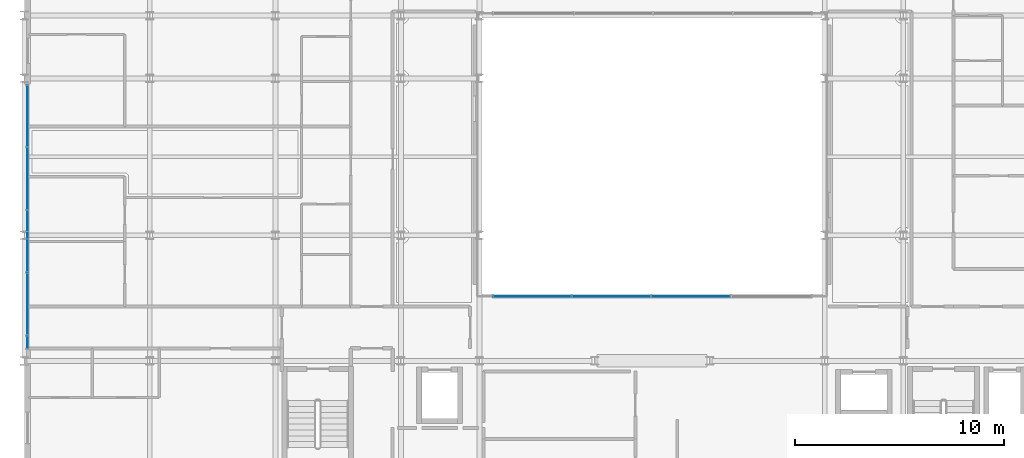
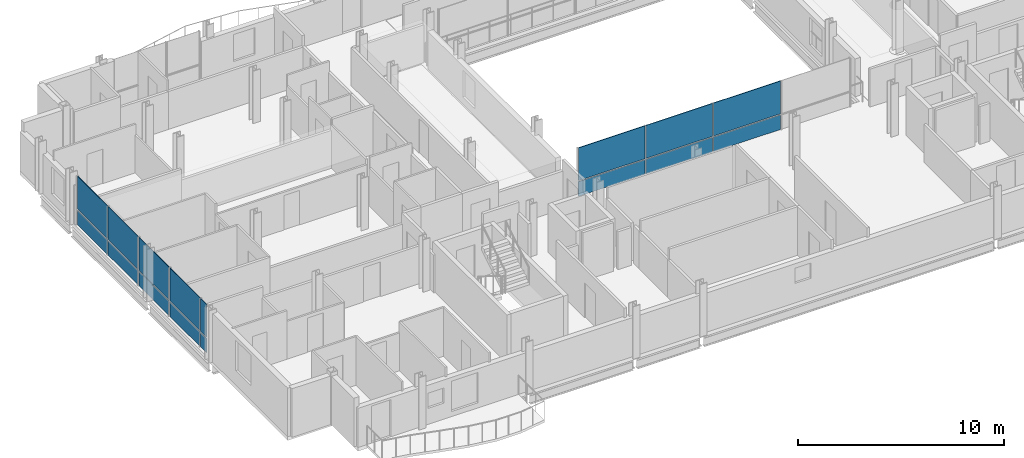
# One storey, part 28 of 41: 16 plates, 2 elements without a shape of their own.
"""IFC4 building model written with IfcOpenShell, lengths in metres."""

from ifc_helpers import new_model, si_unit, direction, frame, origin, origin_2d, place, context, subcontext, project, spatial, rectangle, extrude, material, layer, layer_set, type_object, element, aggregate, save


model = new_model("IFC4")

# Units and contexts
model_context = context("Model", 3, precision=1e-05, world=origin(), true_north=direction((0.0, 1.0)))
body_context = subcontext(model_context, "Body", "Model", "MODEL_VIEW")
ifc_project = project(units=[si_unit("LENGTHUNIT", "METRE"), si_unit("AREAUNIT", "SQUARE_METRE"), si_unit("VOLUMEUNIT", "CUBIC_METRE"), si_unit("PLANEANGLEUNIT", "RADIAN"), si_unit("MASSUNIT", "GRAM", prefix="KILO")], contexts=[model_context])

# Site, building, storey
site_placement = place(None, origin())
site = spatial("IfcSite", under=ifc_project, at=site_placement, CompositionType="ELEMENT")
building_placement = place(site_placement, origin())
building = spatial("IfcBuilding", under=site, at=building_placement, Name="Brevholm Reach", CompositionType="ELEMENT")
storey_placement = place(building_placement, frame((0.0, 0.0, 163.5)))
storey = spatial("IfcBuildingStorey", under=building, at=storey_placement, Name="L49", CompositionType="ELEMENT", Elevation=163.5)

# Curtain wall, plates
ifc_material_1 = material(Name="Dark Anodised Aluminium 6063-T6 and Solar-Control Glass", Category="aluminium")
ifc_layer_1 = layer(ifc_material_1, 0.14990234375)
ifc_layer_set_1 = layer_set([ifc_layer_1], Name="Dark Anodised Aluminium 6063-T6 and Solar-Control Glass")
curtain_wall_type_1 = type_object("IfcCurtainWallType", Name="CW-01", PredefinedType="NOTDEFINED", material=ifc_layer_set_1)
curtain_wall_1_placement = place(storey_placement, origin())
curtain_wall_1 = element("IfcCurtainWall", 1, at=curtain_wall_1_placement, inside=storey, type_object=curtain_wall_type_1, Name="L49 Curtain Wall CW-01", PredefinedType="NOTDEFINED")
ifc_material_2 = material(Name="Dark Solar-Control Double-Glazed IGU Glass", Category="glass")
ifc_layer_2 = layer(ifc_material_2, 0.028076171875)
ifc_layer_set_2 = layer_set([ifc_layer_2], Name="Dark Solar-Control Double-Glazed IGU Glass")
plate_type_1 = type_object("IfcPlateType", Name="CWP-GLZ-28", PredefinedType="CURTAIN_PANEL", material=ifc_layer_set_2)
plate_1_placement = place(storey_placement, frame((0.14990234375, 21.703857421875, 0.0), z_axis=(0.0, 0.0, 1.0), x_axis=(0.0, -1.0, 0.0)))
plate_1 = element("IfcPlate", 2, at=plate_1_placement, type_object=plate_type_1, Name="CP-01 Glazing Panel 1.1", PredefinedType="CURTAIN_PANEL", context=body_context, shape_type="SweptSolid", body=[
    extrude(rectangle(XDim=2.902587890625, YDim=0.028076171875, at=origin_2d()), origin(), (0.0, 0.0, 1.0), 0.867431640625),
])
plate_2_placement = place(storey_placement, frame((0.14990234375, 21.703857421875, 0.9326171875), z_axis=(0.0, 0.0, 1.0), x_axis=(0.0, -1.0, 0.0)))
plate_2 = element("IfcPlate", 3, at=plate_2_placement, type_object=plate_type_1, Name="CP-01 Glazing Panel 1.2", PredefinedType="CURTAIN_PANEL", context=body_context, shape_type="SweptSolid", body=[
    extrude(rectangle(XDim=2.902587890625, YDim=0.028076171875, at=origin_2d()), origin(), (0.0, 0.0, 1.0), 1.947509765625),
])
plate_3_placement = place(storey_placement, frame((0.14990234375, 18.719970703125, 0.0), z_axis=(0.0, 0.0, 1.0), x_axis=(0.0, -1.0, 0.0)))
plate_3 = element("IfcPlate", 4, at=plate_3_placement, type_object=plate_type_1, Name="CP-01 Glazing Panel 2.1", PredefinedType="CURTAIN_PANEL", context=body_context, shape_type="SweptSolid", body=[
    extrude(rectangle(XDim=2.93505859375, YDim=0.028076171875, at=origin_2d()), origin(), (0.0, 0.0, 1.0), 0.867431640625),
])
plate_4_placement = place(storey_placement, frame((0.14990234375, 18.719970703125, 0.9326171875), z_axis=(0.0, 0.0, 1.0), x_axis=(0.0, -1.0, 0.0)))
plate_4 = element("IfcPlate", 5, at=plate_4_placement, type_object=plate_type_1, Name="CP-01 Glazing Panel 2.2", PredefinedType="CURTAIN_PANEL", context=body_context, shape_type="SweptSolid", body=[
    extrude(rectangle(XDim=2.93505859375, YDim=0.028076171875, at=origin_2d()), origin(), (0.0, 0.0, 1.0), 1.947509765625),
])
plate_5_placement = place(storey_placement, frame((0.14990234375, 15.719970703125, 0.0), z_axis=(0.0, 0.0, 1.0), x_axis=(0.0, -1.0, 0.0)))
plate_5 = element("IfcPlate", 6, at=plate_5_placement, type_object=plate_type_1, Name="CP-01 Glazing Panel 3.1", PredefinedType="CURTAIN_PANEL", context=body_context, shape_type="SweptSolid", body=[
    extrude(rectangle(XDim=2.93505859375, YDim=0.028076171875, at=origin_2d()), origin(), (0.0, 0.0, 1.0), 0.867431640625),
])
plate_6_placement = place(storey_placement, frame((0.14990234375, 15.719970703125, 0.9326171875), z_axis=(0.0, 0.0, 1.0), x_axis=(0.0, -1.0, 0.0)))
plate_6 = element("IfcPlate", 7, at=plate_6_placement, type_object=plate_type_1, Name="CP-01 Glazing Panel 3.2", PredefinedType="CURTAIN_PANEL", context=body_context, shape_type="SweptSolid", body=[
    extrude(rectangle(XDim=2.93505859375, YDim=0.028076171875, at=origin_2d()), origin(), (0.0, 0.0, 1.0), 1.947509765625),
])
plate_7_placement = place(storey_placement, frame((0.14990234375, 12.719970703125, 0.0), z_axis=(0.0, 0.0, 1.0), x_axis=(0.0, -1.0, 0.0)))
plate_7 = element("IfcPlate", 8, at=plate_7_placement, type_object=plate_type_1, Name="CP-01 Glazing Panel 4.1", PredefinedType="CURTAIN_PANEL", context=body_context, shape_type="SweptSolid", body=[
    extrude(rectangle(XDim=2.93505859375, YDim=0.028076171875, at=origin_2d()), origin(), (0.0, 0.0, 1.0), 0.867431640625),
])
plate_8_placement = place(storey_placement, frame((0.14990234375, 12.719970703125, 0.9326171875), z_axis=(0.0, 0.0, 1.0), x_axis=(0.0, -1.0, 0.0)))
plate_8 = element("IfcPlate", 9, at=plate_8_placement, type_object=plate_type_1, Name="CP-01 Glazing Panel 4.2", PredefinedType="CURTAIN_PANEL", context=body_context, shape_type="SweptSolid", body=[
    extrude(rectangle(XDim=2.93505859375, YDim=0.028076171875, at=origin_2d()), origin(), (0.0, 0.0, 1.0), 1.947509765625),
])
plate_9_placement = place(storey_placement, frame((0.14990234375, 10.9013671875, 0.0), z_axis=(0.0, 0.0, 1.0), x_axis=(0.0, -1.0, 0.0)))
plate_9 = element("IfcPlate", 10, at=plate_9_placement, type_object=plate_type_1, Name="CP-01 Glazing Panel 5.1", PredefinedType="CURTAIN_PANEL", context=body_context, shape_type="SweptSolid", body=[
    extrude(rectangle(XDim=0.572509765625, YDim=0.028076171875, at=origin_2d()), origin(), (0.0, 0.0, 1.0), 0.867431640625),
])
plate_10_placement = place(storey_placement, frame((0.14990234375, 10.9013671875, 0.9326171875), z_axis=(0.0, 0.0, 1.0), x_axis=(0.0, -1.0, 0.0)))
plate_10 = element("IfcPlate", 11, at=plate_10_placement, type_object=plate_type_1, Name="CP-01 Glazing Panel 5.2", PredefinedType="CURTAIN_PANEL", context=body_context, shape_type="SweptSolid", body=[
    extrude(rectangle(XDim=0.572509765625, YDim=0.028076171875, at=origin_2d()), origin(), (0.0, 0.0, 1.0), 1.947509765625),
])
aggregate(curtain_wall_1, [plate_1, plate_2, plate_3, plate_4, plate_5, plate_6, plate_7, plate_8, plate_9, plate_10])

ifc_material_3 = material(Name="Dark Anodised Aluminium 6063-T6 and Solar-Control Glass", Category="aluminium")
ifc_layer_3 = layer(ifc_material_3, 0.139892578125)
ifc_layer_set_3 = layer_set([ifc_layer_3], Name="Dark Anodised Aluminium 6063-T6 and Solar-Control Glass")
curtain_wall_type_2 = type_object("IfcCurtainWallType", Name="CW-02", PredefinedType="NOTDEFINED", material=ifc_layer_set_3)
curtain_wall_2_placement = place(storey_placement, origin())
curtain_wall_2 = element("IfcCurtainWall", 12, at=curtain_wall_2_placement, inside=storey, type_object=curtain_wall_type_2, Name="L49 Curtain Wall CW-02", PredefinedType="NOTDEFINED")
ifc_material_4 = material(Name="Low-Iron Laminated Acoustic Glass", Category="glass")
ifc_layer_4 = layer(ifc_material_4, 0.035888671875)
ifc_layer_set_4 = layer_set([ifc_layer_4], Name="Low-Iron Laminated Acoustic Glass")
plate_type_2 = type_object("IfcPlateType", Name="CWP-GLZ-36", PredefinedType="CURTAIN_PANEL", material=ifc_layer_set_4)
plate_11_placement = place(storey_placement, frame((24.264892578125, 13.080078125, 0.0), z_axis=(0.0, 0.0, 1.0), x_axis=(1.0, 0.0, 0.0)))
plate_11 = element("IfcPlate", 13, at=plate_11_placement, type_object=plate_type_2, Name="CP-02 Glazing Panel 1.1", PredefinedType="CURTAIN_PANEL", context=body_context, shape_type="SweptSolid", body=[
    extrude(rectangle(XDim=3.7099609375, YDim=0.035888671875, at=origin_2d()), origin(), (0.0, 0.0, 1.0), 0.8701171875),
])
plate_12_placement = place(storey_placement, frame((24.264892578125, 13.080078125, 0.93017578125), z_axis=(0.0, 0.0, 1.0), x_axis=(1.0, 0.0, 0.0)))
plate_12 = element("IfcPlate", 14, at=plate_12_placement, type_object=plate_type_2, Name="CP-02 Glazing Panel 1.2", PredefinedType="CURTAIN_PANEL", context=body_context, shape_type="SweptSolid", body=[
    extrude(rectangle(XDim=3.7099609375, YDim=0.035888671875, at=origin_2d()), origin(), (0.0, 0.0, 1.0), 1.949951171875),
])
plate_13_placement = place(storey_placement, frame((28.050048828125, 13.080078125, 0.0), z_axis=(0.0, 0.0, 1.0), x_axis=(1.0, 0.0, 0.0)))
plate_13 = element("IfcPlate", 15, at=plate_13_placement, type_object=plate_type_2, Name="CP-02 Glazing Panel 2.1", PredefinedType="CURTAIN_PANEL", context=body_context, shape_type="SweptSolid", body=[
    extrude(rectangle(XDim=3.739990234375, YDim=0.035888671875, at=origin_2d()), origin(), (0.0, 0.0, 1.0), 0.8701171875),
])
plate_14_placement = place(storey_placement, frame((28.050048828125, 13.080078125, 0.93017578125), z_axis=(0.0, 0.0, 1.0), x_axis=(1.0, 0.0, 0.0)))
plate_14 = element("IfcPlate", 16, at=plate_14_placement, type_object=plate_type_2, Name="CP-02 Glazing Panel 2.2", PredefinedType="CURTAIN_PANEL", context=body_context, shape_type="SweptSolid", body=[
    extrude(rectangle(XDim=3.739990234375, YDim=0.035888671875, at=origin_2d()), origin(), (0.0, 0.0, 1.0), 1.949951171875),
])
plate_15_placement = place(storey_placement, frame((31.85009765625, 13.080078125, 0.0), z_axis=(0.0, 0.0, 1.0), x_axis=(1.0, 0.0, 0.0)))
plate_15 = element("IfcPlate", 17, at=plate_15_placement, type_object=plate_type_2, Name="CP-02 Glazing Panel 3.1", PredefinedType="CURTAIN_PANEL", context=body_context, shape_type="SweptSolid", body=[
    extrude(rectangle(XDim=3.739990234375, YDim=0.035888671875, at=origin_2d()), origin(), (0.0, 0.0, 1.0), 0.8701171875),
])
plate_16_placement = place(storey_placement, frame((31.85009765625, 13.080078125, 0.93017578125), z_axis=(0.0, 0.0, 1.0), x_axis=(1.0, 0.0, 0.0)))
plate_16 = element("IfcPlate", 18, at=plate_16_placement, type_object=plate_type_2, Name="CP-02 Glazing Panel 3.2", PredefinedType="CURTAIN_PANEL", context=body_context, shape_type="SweptSolid", body=[
    extrude(rectangle(XDim=3.739990234375, YDim=0.035888671875, at=origin_2d()), origin(), (0.0, 0.0, 1.0), 1.949951171875),
])
aggregate(curtain_wall_2, [plate_11, plate_12, plate_13, plate_14, plate_15, plate_16])

save(model, "model.ifc")
